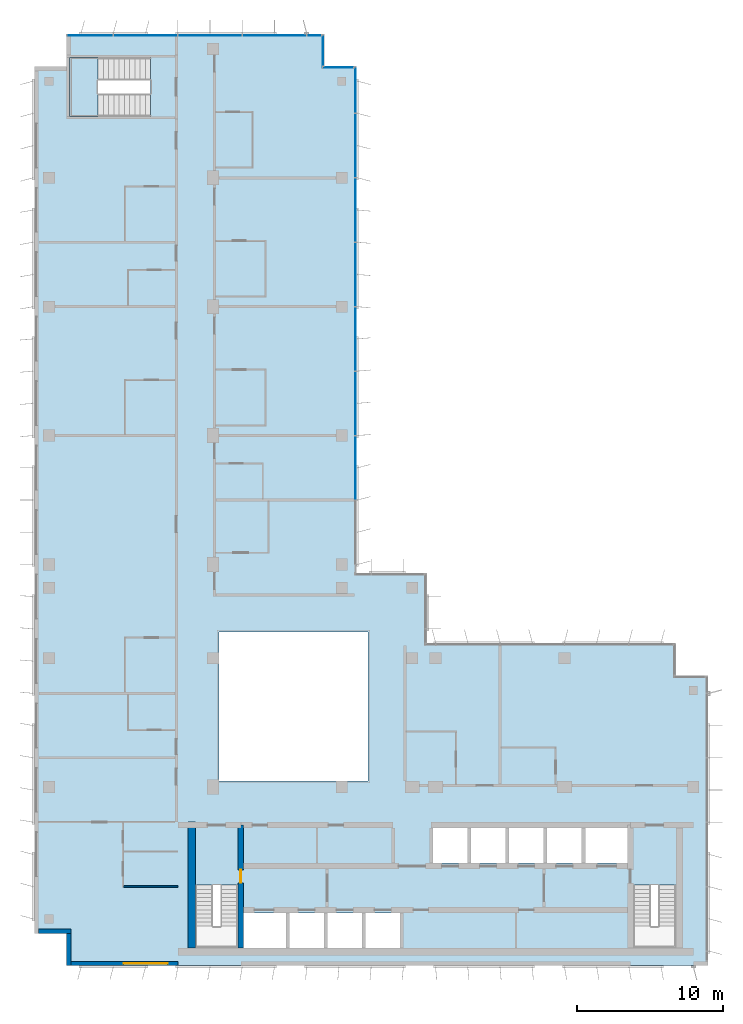
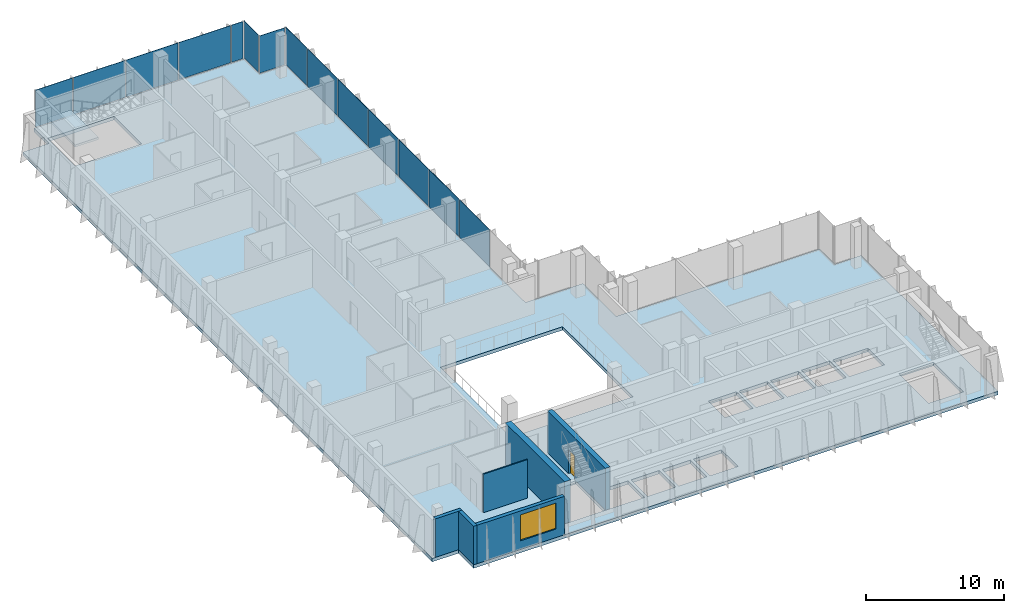
# One storey, part 8 of 15: 14 plates, 6 walls, 2 slabs, 1 door, 1 window, 2 openings, 5 elements without a shape of their own.
"""IFC4 building model written with IfcOpenShell, lengths in metres."""

from ifc_helpers import new_model, si_unit, direction, frame, frame_2d, origin, origin_2d, place, context, subcontext, project, spatial, polyline, rectangle, outline, extrude, source, transform, mapped, material, layer, layer_set, type_object, element, fill, aggregate, save


model = new_model("IFC4")

# Units and contexts
model_context = context("Model", 3, precision=1e-05, world=origin(), true_north=direction((0.0, 1.0)))
body_context = subcontext(model_context, "Body", "Model", "MODEL_VIEW")
ifc_project = project(units=[si_unit("LENGTHUNIT", "METRE"), si_unit("AREAUNIT", "SQUARE_METRE"), si_unit("VOLUMEUNIT", "CUBIC_METRE"), si_unit("PLANEANGLEUNIT", "RADIAN"), si_unit("MASSUNIT", "GRAM", prefix="KILO")], contexts=[model_context])

# Site, building, storey
site_placement = place(None, origin())
site = spatial("IfcSite", under=ifc_project, at=site_placement, CompositionType="ELEMENT")
building_placement = place(site_placement, origin())
building = spatial("IfcBuilding", under=site, at=building_placement, Name="Kemantara Hotel Tower", CompositionType="ELEMENT")
storey_placement = place(building_placement, frame((0.0, 0.0, 230.199951171875)))
storey = spatial("IfcBuildingStorey", under=building, at=storey_placement, Name="L57", CompositionType="ELEMENT", Elevation=230.199951171875)

# Slab
ifc_material_1 = material(Name="Concrete fc 40 MPa", Category="concrete")
ifc_layer_1 = layer(ifc_material_1, 0.300048828125)
ifc_layer_set_1 = layer_set([ifc_layer_1], Name="Concrete fc 40 MPa")
slab_type_1 = type_object("IfcSlabType", Name="POST-TENSIONED FLAT PLATE 300", PredefinedType="FLOOR", material=ifc_layer_set_1)
slab_1_placement = place(storey_placement, frame((0.0, 0.0, -0.300048828125)))
element("IfcSlab", 1, at=slab_1_placement, inside=storey, type_object=slab_type_1, Name="FLOOR SLAB L57", PredefinedType="FLOOR", context=body_context, shape_type="SweptSolid", body=[
    extrude(outline(polyline([(22.0, 26.800048828125), (22.0, 61.39990234375), (19.800048828125, 61.39990234375), (19.800048828125, 63.60009765625), (2.199951171875, 63.60009765625), (2.199951171875, 61.39990234375), (0.0, 61.39990234375), (0.0, 2.199951171875), (2.199951171875, 2.199951171875), (2.199951171875, 0.0), (46.0, 0.0), (46.0, 19.800048828125), (43.800048828125, 19.800048828125), (43.800048828125, 22.0), (26.800048828125, 22.0), (26.800048828125, 26.800048828125), (22.0, 26.800048828125)]), holes=[polyline([(17.175048828125, 3.60009765625), (17.175048828125, 1.199951171875), (14.22509765625, 1.199951171875), (14.22509765625, 3.60009765625), (17.175048828125, 3.60009765625)]), polyline([(19.77490234375, 1.199951171875), (17.425048828125, 1.199951171875), (17.425048828125, 3.60009765625), (19.77490234375, 3.60009765625), (19.77490234375, 1.199951171875)]), polyline([(22.375, 1.199951171875), (20.02490234375, 1.199951171875), (20.02490234375, 3.60009765625), (22.375, 3.60009765625), (22.375, 1.199951171875)]), polyline([(24.97509765625, 3.60009765625), (24.97509765625, 1.199951171875), (22.625, 1.199951171875), (22.625, 3.60009765625), (24.97509765625, 3.60009765625)]), polyline([(11.0, 1.199951171875), (11.0, 5.49951171875), (13.89990234375, 5.49951171875), (13.89990234375, 1.199951171875), (11.0, 1.199951171875)]), polyline([(22.800048828125, 12.60009765625), (12.60009765625, 12.60009765625), (12.60009765625, 22.800048828125), (22.800048828125, 22.800048828125), (22.800048828125, 12.60009765625)]), polyline([(2.39990234375, 58.0), (2.39990234375, 62.0), (7.949462890625, 62.0), (7.949462890625, 58.0), (2.39990234375, 58.0)]), polyline([(40.89990234375, 1.199951171875), (40.89990234375, 5.49951171875), (43.800048828125, 5.49951171875), (43.800048828125, 1.199951171875), (40.89990234375, 1.199951171875)]), polyline([(29.574951171875, 7.0), (27.22509765625, 7.0), (27.22509765625, 9.39990234375), (29.574951171875, 9.39990234375), (29.574951171875, 7.0)]), polyline([(32.175048828125, 7.0), (29.824951171875, 7.0), (29.824951171875, 9.39990234375), (32.175048828125, 9.39990234375), (32.175048828125, 7.0)]), polyline([(34.77490234375, 7.0), (32.425048828125, 7.0), (32.425048828125, 9.39990234375), (34.77490234375, 9.39990234375), (34.77490234375, 7.0)]), polyline([(37.375, 7.0), (35.02490234375, 7.0), (35.02490234375, 9.39990234375), (37.375, 9.39990234375), (37.375, 7.0)]), polyline([(40.574951171875, 7.0), (37.625, 7.0), (37.625, 9.39990234375), (40.574951171875, 9.39990234375), (40.574951171875, 7.0)])]), origin(), (0.0, 0.0, 1.0), 0.300048828125),
])

# Stair, slab
stair_type = type_object("IfcStairType", Name="Stair 1550 wide 22 risers of 168 x 360 mm", PredefinedType="HALF_TURN_STAIR", material=ifc_material_1)
stair_placement = place(storey_placement, origin())
stair = element("IfcStair", 2, at=stair_placement, inside=storey, type_object=stair_type, Name="L57 Exit stair ST4", PredefinedType="HALF_TURN_STAIR")
ifc_layer_2 = layer(ifc_material_1, 0.199951171875)
ifc_layer_set_2 = layer_set([ifc_layer_2], Name="Concrete fc 40 MPa")
slab_type_2 = type_object("IfcSlabType", Name="Stair landing 200 mm", PredefinedType="LANDING", material=ifc_layer_set_2)
slab_2_placement = place(storey_placement, frame((0.0, 0.0, 1.650146484375)))
slab_2 = element("IfcSlab", 3, at=slab_2_placement, type_object=slab_type_2, Name="ST4 landing 1", PredefinedType="LANDING", context=body_context, shape_type="SweptSolid", body=[
    extrude(outline(polyline([(4.35009765625, 62.0), (2.39990234375, 62.0), (2.39990234375, 58.0), (4.35009765625, 58.0), (4.35009765625, 62.0)])), origin(), (0.0, 0.0, 1.0), 0.199951171875),
])
aggregate(stair, [slab_2])

# Curtain wall, plates
ifc_material_2 = material(Name="Low-E tinted double insulated glass 36 mm", Category="glass")
curtain_wall_type = type_object("IfcCurtainWallType", Name="TOWER CURTAIN WALL, FRONT FACES", PredefinedType="USERDEFINED", material=ifc_material_2)
curtain_wall_1_placement = place(storey_placement, origin())
curtain_wall_1 = element("IfcCurtainWall", 4, at=curtain_wall_1_placement, inside=storey, type_object=curtain_wall_type, Name="CW4 L57 T4-R02-1", ObjectType="TOWER CURTAIN WALL, FRONT FACES", PredefinedType="USERDEFINED")
ifc_layer_3 = layer(ifc_material_2, 0.035888671875)
ifc_layer_set_3 = layer_set([ifc_layer_3], Name="Low-E tinted double insulated glass 36 mm")
plate_type = type_object("IfcPlateType", Name="TOWER CURTAIN WALL, FRONT FACES PANEL", PredefinedType="CURTAIN_PANEL", material=ifc_layer_set_3)
shared_shape_1 = source(origin(), body_context, "Body", "SweptSolid", [
    extrude(rectangle(XDim=4.340087890625, YDim=0.035888671875, at=origin_2d()), origin(), (0.0, 0.0, 1.0), 3.280029296875),
])
plate_1_placement = place(storey_placement, frame((16.39990234375, 63.52490234375, 0.1201171875), z_axis=(0.0, 0.0, 1.0), x_axis=(-1.0, 0.0, 0.0)))
plate_1 = element("IfcPlate", 5, at=plate_1_placement, type_object=plate_type, Name="CW4 glass panel T4-R02-1.2", PredefinedType="CURTAIN_PANEL", context=body_context, shape_type="MappedRepresentation", body=[
    mapped(shared_shape_1, transform((0.0, 0.0, 0.0))),
])
plate_2_placement = place(storey_placement, frame((12.0, 63.52490234375, 0.1201171875), z_axis=(0.0, 0.0, 1.0), x_axis=(-1.0, 0.0, 0.0)))
plate_2 = element("IfcPlate", 6, at=plate_2_placement, type_object=plate_type, Name="CW4 glass panel T4-R02-1.3", PredefinedType="CURTAIN_PANEL", context=body_context, shape_type="MappedRepresentation", body=[
    mapped(shared_shape_1, transform((0.0, 0.0, 0.0))),
])
plate_3_placement = place(storey_placement, frame((7.60009765625, 63.52490234375, 0.1201171875), z_axis=(0.0, 0.0, 1.0), x_axis=(-1.0, 0.0, 0.0)))
plate_3 = element("IfcPlate", 7, at=plate_3_placement, type_object=plate_type, Name="CW4 glass panel T4-R02-1.4", PredefinedType="CURTAIN_PANEL", context=body_context, shape_type="MappedRepresentation", body=[
    mapped(shared_shape_1, transform((0.0, 0.0, 0.0))),
])

curtain_wall_2_placement = place(storey_placement, origin())
curtain_wall_2 = element("IfcCurtainWall", 8, at=curtain_wall_2_placement, inside=storey, type_object=curtain_wall_type, Name="CW4 L57 T4-R15-1", ObjectType="TOWER CURTAIN WALL, FRONT FACES", PredefinedType="USERDEFINED")
plate_4_placement = place(storey_placement, frame((21.925048828125, 34.0, 0.1201171875), z_axis=(0.0, 0.0, 1.0), x_axis=(0.0, 1.0, 0.0)))
plate_4 = element("IfcPlate", 9, at=plate_4_placement, type_object=plate_type, Name="CW4 glass panel T4-R15-1.3", PredefinedType="CURTAIN_PANEL", context=body_context, shape_type="MappedRepresentation", body=[
    mapped(shared_shape_1, transform((0.0, 0.0, 0.0))),
])
plate_5_placement = place(storey_placement, frame((21.925048828125, 38.39990234375, 0.1201171875), z_axis=(0.0, 0.0, 1.0), x_axis=(0.0, 1.0, 0.0)))
plate_5 = element("IfcPlate", 10, at=plate_5_placement, type_object=plate_type, Name="CW4 glass panel T4-R15-1.4", PredefinedType="CURTAIN_PANEL", context=body_context, shape_type="MappedRepresentation", body=[
    mapped(shared_shape_1, transform((0.0, 0.0, 0.0))),
])
plate_6_placement = place(storey_placement, frame((21.925048828125, 42.800048828125, 0.1201171875), z_axis=(0.0, 0.0, 1.0), x_axis=(0.0, 1.0, 0.0)))
plate_6 = element("IfcPlate", 11, at=plate_6_placement, type_object=plate_type, Name="CW4 glass panel T4-R15-1.5", PredefinedType="CURTAIN_PANEL", context=body_context, shape_type="MappedRepresentation", body=[
    mapped(shared_shape_1, transform((0.0, 0.0, 0.0))),
])
plate_7_placement = place(storey_placement, frame((21.925048828125, 47.199951171875, 0.1201171875), z_axis=(0.0, 0.0, 1.0), x_axis=(0.0, 1.0, 0.0)))
plate_7 = element("IfcPlate", 12, at=plate_7_placement, type_object=plate_type, Name="CW4 glass panel T4-R15-1.6", PredefinedType="CURTAIN_PANEL", context=body_context, shape_type="MappedRepresentation", body=[
    mapped(shared_shape_1, transform((0.0, 0.0, 0.0))),
])
plate_8_placement = place(storey_placement, frame((21.925048828125, 51.60009765625, 0.1201171875), z_axis=(0.0, 0.0, 1.0), x_axis=(0.0, 1.0, 0.0)))
plate_8 = element("IfcPlate", 13, at=plate_8_placement, type_object=plate_type, Name="CW4 glass panel T4-R15-1.7", PredefinedType="CURTAIN_PANEL", context=body_context, shape_type="MappedRepresentation", body=[
    mapped(shared_shape_1, transform((0.0, 0.0, 0.0))),
])
plate_9_placement = place(storey_placement, frame((21.925048828125, 56.0, 0.1201171875), z_axis=(0.0, 0.0, 1.0), x_axis=(0.0, 1.0, 0.0)))
plate_9 = element("IfcPlate", 14, at=plate_9_placement, type_object=plate_type, Name="CW4 glass panel T4-R15-1.8", PredefinedType="CURTAIN_PANEL", context=body_context, shape_type="MappedRepresentation", body=[
    mapped(shared_shape_1, transform((0.0, 0.0, 0.0))),
])

# Plate
shared_shape_2 = source(origin(), body_context, "Body", "SweptSolid", [
    extrude(rectangle(XDim=3.110107421875, YDim=0.035888671875, at=origin_2d()), origin(), (0.0, 0.0, 1.0), 3.280029296875),
])
plate_10_placement = place(storey_placement, frame((3.81494140625, 63.52490234375, 0.1201171875), z_axis=(0.0, 0.0, 1.0), x_axis=(-1.0, 0.0, 0.0)))
plate_10 = element("IfcPlate", 15, at=plate_10_placement, type_object=plate_type, Name="CW4 glass panel T4-R02-1.5", PredefinedType="CURTAIN_PANEL", context=body_context, shape_type="MappedRepresentation", body=[
    mapped(shared_shape_2, transform((0.0, 0.0, 0.0))),
])

plate_11_placement = place(storey_placement, frame((21.925048828125, 59.784912109375, 0.1201171875), z_axis=(0.0, 0.0, 1.0), x_axis=(0.0, 1.0, 0.0)))
plate_11 = element("IfcPlate", 16, at=plate_11_placement, type_object=plate_type, Name="CW4 glass panel T4-R15-1.9", PredefinedType="CURTAIN_PANEL", context=body_context, shape_type="MappedRepresentation", body=[
    mapped(shared_shape_2, transform((0.0, 0.0, 0.0))),
])

aggregate(curtain_wall_2, [plate_4, plate_5, plate_6, plate_7, plate_8, plate_9, plate_11])

# Curtain wall, plate
curtain_wall_3_placement = place(storey_placement, origin())
curtain_wall_3 = element("IfcCurtainWall", 17, at=curtain_wall_3_placement, inside=storey, type_object=curtain_wall_type, Name="CW4 L57 T4-R00-1", ObjectType="TOWER CURTAIN WALL, FRONT FACES", PredefinedType="USERDEFINED")
shared_shape_3 = source(origin(), body_context, "Body", "SweptSolid", [
    extrude(rectangle(XDim=2.080078125, YDim=0.035888671875, at=origin_2d()), origin(), (0.0, 0.0, 1.0), 3.280029296875),
])
plate_12_placement = place(storey_placement, frame((20.75, 61.324951171875, 0.1201171875), z_axis=(0.0, 0.0, 1.0), x_axis=(-1.0, 0.0, 0.0)))
plate_12 = element("IfcPlate", 18, at=plate_12_placement, type_object=plate_type, Name="CW4 glass panel T4-R00-1.1", PredefinedType="CURTAIN_PANEL", context=body_context, shape_type="MappedRepresentation", body=[
    mapped(shared_shape_3, transform((0.0, 0.0, 0.0))),
])
aggregate(curtain_wall_3, [plate_12])

curtain_wall_4_placement = place(storey_placement, origin())
curtain_wall_4 = element("IfcCurtainWall", 19, at=curtain_wall_4_placement, inside=storey, type_object=curtain_wall_type, Name="CW4 L57 T4-R01-1", ObjectType="TOWER CURTAIN WALL, FRONT FACES", PredefinedType="USERDEFINED")
plate_13_placement = place(storey_placement, frame((19.72509765625, 62.5, 0.1201171875), z_axis=(0.0, 0.0, 1.0), x_axis=(0.0, 1.0, 0.0)))
plate_13 = element("IfcPlate", 20, at=plate_13_placement, type_object=plate_type, Name="CW4 glass panel T4-R01-1.1", PredefinedType="CURTAIN_PANEL", context=body_context, shape_type="MappedRepresentation", body=[
    mapped(shared_shape_3, transform((0.0, 0.0, 0.0))),
])
aggregate(curtain_wall_4, [plate_13])

# Plate
shared_shape_4 = source(origin(), body_context, "Body", "SweptSolid", [
    extrude(rectangle(XDim=0.9599609375, YDim=0.035888671875, at=origin_2d()), origin(), (0.0, 0.0, 1.0), 3.280029296875),
])
plate_14_placement = place(storey_placement, frame((19.110107421875, 63.52490234375, 0.1201171875), z_axis=(0.0, 0.0, 1.0), x_axis=(-1.0, 0.0, 0.0)))
plate_14 = element("IfcPlate", 21, at=plate_14_placement, type_object=plate_type, Name="CW4 glass panel T4-R02-1.1", PredefinedType="CURTAIN_PANEL", context=body_context, shape_type="MappedRepresentation", body=[
    mapped(shared_shape_4, transform((0.0, 0.0, 0.0))),
])

aggregate(curtain_wall_1, [plate_14, plate_1, plate_2, plate_3, plate_10])

# Walls
ifc_material_3 = material(Name="Bronze anodised aluminium cladding on insulated steel stud wall", Category="steel")
ifc_layer_4 = layer(ifc_material_3, 0.300048828125)
ifc_layer_set_4 = layer_set([ifc_layer_4], Name="Bronze anodised aluminium cladding on insulated steel stud wall")
wall_type_1 = type_object("IfcWallType", Name="BRONZE METAL-CLAD EXTERNAL WALL 300", PredefinedType="STANDARD", material=ifc_layer_set_4)
for number, where, z_axis, x_axis, name in (
    (22, (0.300048828125, 2.35009765625, 0.0), (0.0, 0.0, 1.0), (1.0, 0.0, 0.0), "EXTERNAL WALL L57 T4-R06"),
    (23, (2.35009765625, 2.199951171875, 0.0), (0.0, 0.0, 1.0), (0.0, -1.0, 0.0), "EXTERNAL WALL L57 T4-R07"),
):
    element("IfcWall", number, at=place(storey_placement, frame(where, z_axis=z_axis, x_axis=x_axis)), inside=storey, type_object=wall_type_1, Name=name, PredefinedType="STANDARD", context=body_context, shape_type="SweptSolid", body=[
        extrude(rectangle(XDim=2.199951171875, YDim=0.300048828125, at=frame_2d((1.10009765625, 0.0))), origin(), (0.0, 0.0, 1.0), 3.400146484375),
    ])

# Wall, opening, window
wall_1_placement = place(storey_placement, frame((2.5, 0.14990234375, 0.0), z_axis=(0.0, 0.0, 1.0), x_axis=(1.0, 0.0, 0.0)))
wall_1 = element("IfcWall", 24, at=wall_1_placement, inside=storey, type_object=wall_type_1, Name="EXTERNAL WALL L57 T4-R08", PredefinedType="STANDARD", context=body_context, shape_type="SweptSolid", body=[
    extrude(rectangle(XDim=7.300048828125, YDim=0.300048828125, at=frame_2d((3.64990234375, 0.0))), origin(), (0.0, 0.0, 1.0), 3.400146484375),
])
opening_1_placement = place(wall_1_placement, frame((3.60009765625, 0.0, 0.75)))
opening_1 = element("IfcOpeningElement", 25, at=opening_1_placement, cuts=wall_1, Name="Opening W1", PredefinedType="OPENING", context=body_context, shape_type="SweptSolid", body=[
    extrude(rectangle(XDim=3.0, YDim=2.300048828125, at=frame_2d((1.5, 1.14990234375))), frame((0.0, 0.159912109375, 0.0), z_axis=(0.0, -1.0, 0.0), x_axis=(1.0, 0.0, 0.0)), (0.0, 0.0, 1.0), 0.320068359375),
])
ifc_material_4 = material(Name="Low-E tinted double insulated glass in bronze anodised aluminium frame", Category="aluminium")
window_type = type_object("IfcWindowType", Name="CHICAGO WINDOW, TRIPLE PANEL 3000x2300", PartitioningType="TRIPLE_PANEL_VERTICAL", PredefinedType="WINDOW", material=ifc_material_4)
window_placement = place(opening_1_placement, origin())
window = element("IfcWindow", 26, at=window_placement, inside=storey, type_object=window_type, Name="CHICAGO WINDOW L57 T4-R08-54", OverallHeight=2.300048828125, OverallWidth=3.0, PartitioningType="SINGLE_PANEL", PredefinedType="WINDOW", context=body_context, shape_type="SweptSolid", body=[
    extrude(rectangle(XDim=3.0, YDim=2.300048828125, at=frame_2d((1.5, 1.14990234375))), frame((0.0, 0.030029296875, 0.0), z_axis=(0.0, -1.0, 0.0), x_axis=(1.0, 0.0, 0.0)), (0.0, 0.0, 1.0), 0.06005859375),
])
fill(opening_1, window)

# Wall, opening, door
ifc_material_5 = material(Name="Concrete fc 60 MPa", Category="concrete")
ifc_layer_5 = layer(ifc_material_5, 0.39990234375)
ifc_layer_set_5 = layer_set([ifc_layer_5], Name="Concrete fc 60 MPa")
wall_type_2 = type_object("IfcWallType", Name="CORE WALL 400 FC60", PredefinedType="SHEAR", material=ifc_layer_set_5)
wall_2_placement = place(storey_placement, frame((14.10009765625, 1.199951171875, 0.0), z_axis=(0.0, 0.0, 1.0), x_axis=(0.0, 1.0, 0.0)))
wall_2 = element("IfcWall", 27, at=wall_2_placement, inside=storey, type_object=wall_type_2, Name="CORE WALL CW-ST1E", PredefinedType="SHEAR", context=body_context, shape_type="SweptSolid", body=[
    extrude(rectangle(XDim=8.400146484375, YDim=0.39990234375, at=frame_2d((4.2001953125, 0.0))), origin(), (0.0, 0.0, 1.0), 3.699951171875),
])
opening_2_placement = place(wall_2_placement, frame((4.449951171875, 0.0, 0.0)))
opening_2 = element("IfcOpeningElement", 28, at=opening_2_placement, cuts=wall_2, Name="Opening C35-ST1-F", PredefinedType="OPENING", context=body_context, shape_type="SweptSolid", body=[
    extrude(rectangle(XDim=0.89990234375, YDim=2.10009765625, at=frame_2d((0.449951171875, 1.050048828125))), frame((0.0, 0.2099609375, 0.0), z_axis=(0.0, -1.0, 0.0), x_axis=(1.0, 0.0, 0.0)), (0.0, 0.0, 1.0), 0.419921875),
])
ifc_material_6 = material(Name="Steel fire door", Category="steel")
door_type = type_object("IfcDoorType", Name="Fire door FD90 900 x 2100", OperationType="NOTDEFINED", PredefinedType="DOOR", material=ifc_material_6)
door_placement = place(opening_2_placement, origin())
door = element("IfcDoor", 29, at=door_placement, inside=storey, type_object=door_type, Name="Stair ST1 door to firefighting lobby", OperationType="SINGLE_SWING_RIGHT", OverallHeight=2.10009765625, OverallWidth=0.89990234375, PredefinedType="DOOR", context=body_context, shape_type="SweptSolid", body=[
    extrude(rectangle(XDim=0.89990234375, YDim=2.10009765625, at=frame_2d((0.449951171875, 1.050048828125))), frame((0.0, 0.02490234375, 0.0), z_axis=(0.0, -1.0, 0.0), x_axis=(1.0, 0.0, 0.0)), (0.0, 0.0, 1.0), 0.050048828125),
])
fill(opening_2, door)

# Walls
ifc_layer_6 = layer(ifc_material_5, 0.5)
ifc_layer_set_6 = layer_set([ifc_layer_6], Name="Concrete fc 60 MPa")
wall_type_3 = type_object("IfcWallType", Name="CORE WALL 500 FC60", PredefinedType="SHEAR", material=ifc_layer_set_6)
wall_3_placement = place(storey_placement, frame((10.75, 1.199951171875, 0.0), z_axis=(0.0, 0.0, 1.0), x_axis=(0.0, 1.0, 0.0)))
element("IfcWall", 30, at=wall_3_placement, inside=storey, type_object=wall_type_3, Name="CORE WALL CW-W", PredefinedType="SHEAR", context=body_context, shape_type="SweptSolid", body=[
    extrude(rectangle(XDim=8.60009765625, YDim=0.5, at=frame_2d((4.300048828125, 0.0))), origin(), (0.0, 0.0, 1.0), 3.699951171875),
])
ifc_material_7 = material(Name="Gypsum board partition on steel studs, 100 mm", Category="steel")
ifc_layer_7 = layer(ifc_material_7, 0.10009765625)
ifc_layer_set_7 = layer_set([ifc_layer_7], Name="Gypsum board partition on steel studs, 100 mm")
wall_type_4 = type_object("IfcWallType", Name="ROOM PARTITION 100", PredefinedType="PARTITIONING", material=ifc_layer_set_7)
wall_4_placement = place(storey_placement, frame((6.10009765625, 5.39990234375, 0.0), z_axis=(0.0, 0.0, 1.0), x_axis=(1.0, 0.0, 0.0)))
element("IfcWall", 31, at=wall_4_placement, inside=storey, type_object=wall_type_4, Name="ROOM PARTITION 100 029", PredefinedType="PARTITIONING", context=body_context, shape_type="SweptSolid", body=[
    extrude(rectangle(XDim=3.69970703125, YDim=0.10009765625, at=frame_2d((1.849853515625, 0.0))), origin(), (0.0, 0.0, 1.0), 3.400146484375),
])

save(model, "model.ifc")
